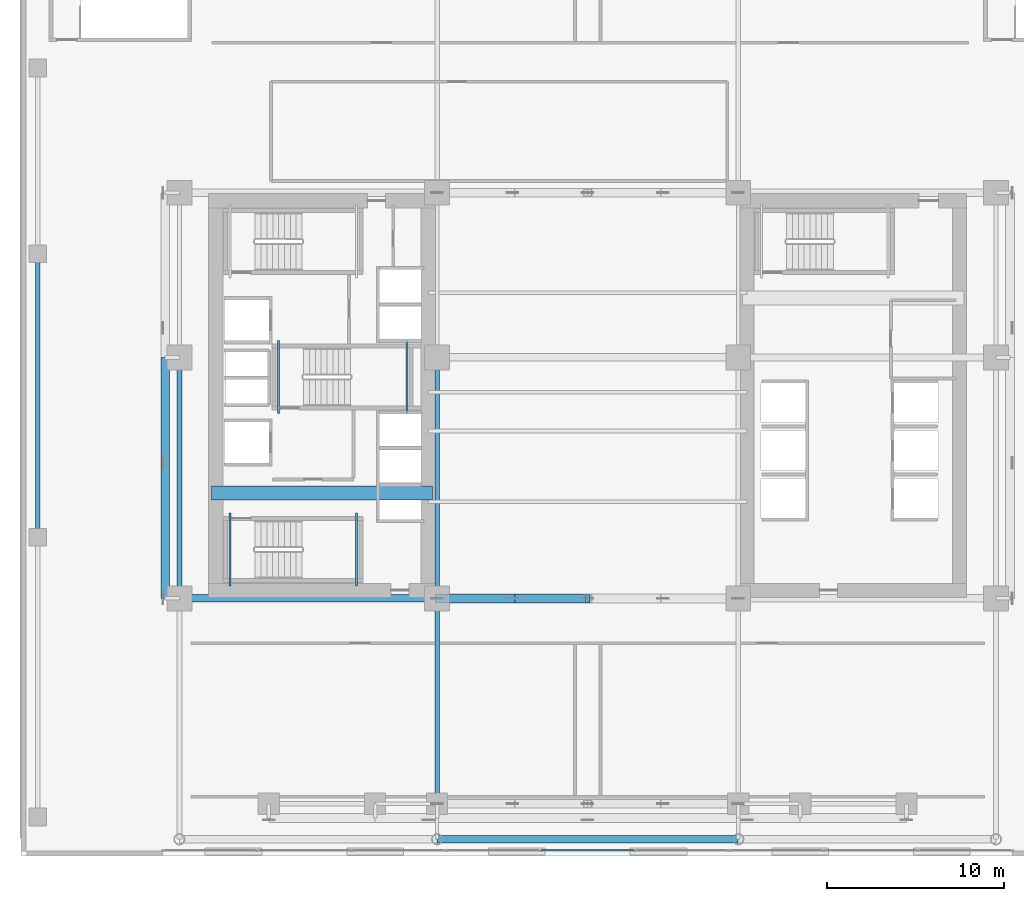
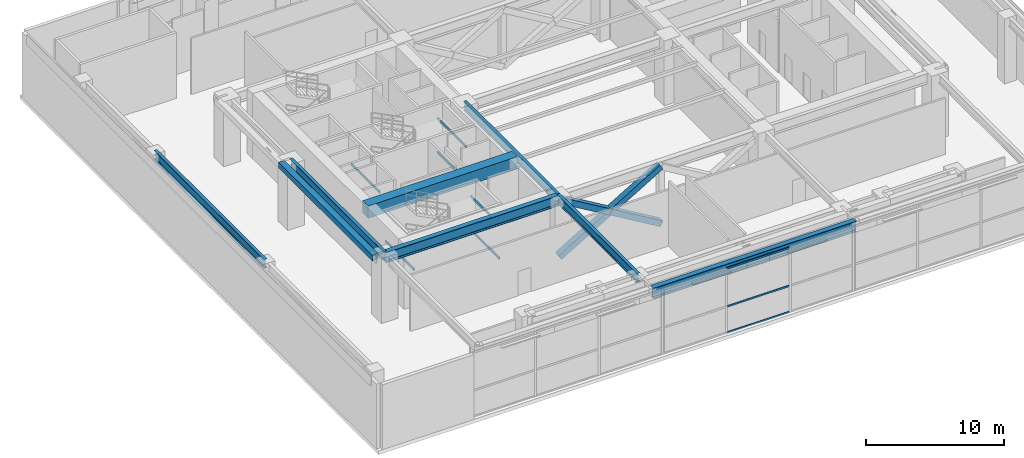
# One storey, part 6 of 29: 14 beams, 6 members, 1 element without a shape of its own.
"""IFC4 building model written with IfcOpenShell, lengths in metres."""

from ifc_helpers import new_model, si_unit, direction, frame, origin, origin_2d, place, context, subcontext, project, spatial, rectangle, hollow_rectangle, i_section, extrude, source, transform, mapped, material, layer, layer_set, material_profile, profile_set, type_object, element, aggregate, save


model = new_model("IFC4")

# Units and contexts
model_context = context("Model", 3, precision=1e-05, world=origin(), true_north=direction((0.0, 1.0)))
body_context = subcontext(model_context, "Body", "Model", "MODEL_VIEW")
ifc_project = project(units=[si_unit("LENGTHUNIT", "METRE"), si_unit("AREAUNIT", "SQUARE_METRE"), si_unit("VOLUMEUNIT", "CUBIC_METRE"), si_unit("PLANEANGLEUNIT", "RADIAN"), si_unit("MASSUNIT", "GRAM", prefix="KILO")], contexts=[model_context])

# Site, building, storey
site_placement = place(None, origin())
site = spatial("IfcSite", under=ifc_project, at=site_placement, CompositionType="ELEMENT")
building_placement = place(site_placement, origin())
building = spatial("IfcBuilding", under=site, at=building_placement, Name="Ocotamira Hotel", CompositionType="ELEMENT")
storey_placement = place(building_placement, frame((0.0, 0.0, 28.800048828125)))
storey = spatial("IfcBuildingStorey", under=building, at=storey_placement, Name="L06", CompositionType="ELEMENT", Elevation=28.800048828125)

# Beams
ifc_material_1 = material(Name="Concrete C60/75", Category="concrete")
ifc_material_profile_1 = material_profile(ifc_material_1, rectangle(XDim=0.800048828125, YDim=1.10009765625, at=origin_2d()), Name="RC800X1100")
ifc_profile_set_1 = profile_set([ifc_material_profile_1], Name="Concrete C60/75")
beam_type_1 = type_object("IfcBeamType", Name="BM-LINK-RC800", PredefinedType="LINTEL", material=ifc_profile_set_1)
shared_shape_1 = source(origin(), body_context, "Body", "SweptSolid", [
    extrude(rectangle(XDim=0.800048828125, YDim=1.10009765625, at=origin_2d()), origin(), (0.0, 0.0, 1.0), 12.5),
])
beam_1_placement = place(storey_placement, frame((10.75, 20.5, 5.199951171875), z_axis=(1.0, 0.0, 0.0), x_axis=(0.0, 1.0, 0.0)))
element("IfcBeam", 1, at=beam_1_placement, inside=storey, type_object=beam_type_1, Name="L06 West Core Coupling Beam", PredefinedType="LINTEL", context=body_context, shape_type="MappedRepresentation", body=[
    mapped(shared_shape_1, transform((0.0, 0.0, 0.0), scale=1.0)),
])
ifc_material_2 = material(Name="Steel ASTM A500 Grade C", Category="steel")
ifc_material_profile_2 = material_profile(ifc_material_2, hollow_rectangle(XDim=0.10009765625, YDim=0.199951171875, WallThickness=0.008056640625, at=origin_2d()), Name="HSS200X100X8")
ifc_profile_set_2 = profile_set([ifc_material_profile_2], Name="Steel ASTM A500 Grade C")
beam_type_2 = type_object("IfcBeamType", Name="BM-STLDG-HSS200", PredefinedType="BEAM", material=ifc_profile_set_2)
shared_shape_2 = source(origin(), body_context, "Body", "SweptSolid", [
    extrude(hollow_rectangle(XDim=0.10009765625, YDim=0.199951171875, WallThickness=0.008056640625, at=origin_2d()), origin(), (0.0, 0.0, 1.0), 4.1201171875),
])
for number, where, z_axis, x_axis, name in (
    (2, (18.949951171875, 15.25, 1.199951171875), (0.0, 1.0, 0.0), (-1.0, 0.0, 0.0), "L06 Stair ST-1 Landing Bearer 1"),
    (3, (11.81005859375, 15.25, 2.699951171875), (0.0, 1.0, 0.0), (-1.0, 0.0, 0.0), "L06 Stair ST-1 Landing Bearer 2"),
    (4, (18.949951171875, 15.25, 4.199951171875), (0.0, 1.0, 0.0), (-1.0, 0.0, 0.0), "L06 Stair ST-1 Landing Bearer 3"),
    (5, (21.780029296875, 24.97998046875, 1.199951171875), (0.0, 1.0, 0.0), (-1.0, 0.0, 0.0), "L06 Stair ST-3 Landing Bearer 1"),
    (6, (14.5400390625, 24.97998046875, 2.699951171875), (0.0, 1.0, 0.0), (-1.0, 0.0, 0.0), "L06 Stair ST-3 Landing Bearer 2"),
    (7, (21.780029296875, 24.97998046875, 4.199951171875), (0.0, 1.0, 0.0), (-1.0, 0.0, 0.0), "L06 Stair ST-3 Landing Bearer 3"),
):
    element("IfcBeam", number, at=place(storey_placement, frame(where, z_axis=z_axis, x_axis=x_axis)), inside=storey, type_object=beam_type_2, Name=name, PredefinedType="BEAM", context=body_context, shape_type="MappedRepresentation", body=[
        mapped(shared_shape_2, transform((0.0, 0.0, 0.0), scale=1.0)),
    ])
ifc_material_3 = material(Name="Steel ASTM A992 Grade 50", Category="steel")
ifc_material_profile_3 = material_profile(ifc_material_3, i_section(OverallWidth=0.41796875, OverallDepth=0.927001953125, WebThickness=0.019287109375, FlangeThickness=0.031982421875, FilletRadius=0.02392578125, at=origin_2d()), Name="W36X231")
ifc_profile_set_3 = profile_set([ifc_material_profile_3], Name="Steel ASTM A992 Grade 50")
beam_type_3 = type_object("IfcBeamType", Name="BM-GIRD-W36X231", PredefinedType="BEAM", material=ifc_profile_set_3)
shared_shape_3 = source(origin(), body_context, "Body", "SweptSolid", [
    extrude(i_section(OverallWidth=0.41796875, OverallDepth=0.927001953125, WebThickness=0.019287109375, FlangeThickness=0.031982421875, FilletRadius=0.02392578125, at=origin_2d()), origin(), (0.0, 0.0, 1.0), 14.550048828125),
])
beam_2_placement = place(storey_placement, frame((8.949951171875, 14.550048828125, 5.286376953125), z_axis=(1.0, 0.0, 0.0), x_axis=(0.0, 1.0, 0.0)))
element("IfcBeam", 8, at=beam_2_placement, inside=storey, type_object=beam_type_3, Name="L06 Girder Y14.55 X8.95-23.5", PredefinedType="BEAM", context=body_context, shape_type="MappedRepresentation", body=[
    mapped(shared_shape_3, transform((0.0, 0.0, 0.0), scale=1.0)),
])
ifc_material_profile_4 = material_profile(ifc_material_3, i_section(OverallWidth=0.26611328125, OverallDepth=0.779052734375, WebThickness=0.0166015625, FlangeThickness=0.030029296875, FilletRadius=0.01806640625, at=origin_2d()), Name="W30X148")
ifc_profile_set_4 = profile_set([ifc_material_profile_4], Name="Steel ASTM A992 Grade 50")
beam_type_4 = type_object("IfcBeamType", Name="BM-GIRD-W30X148", PredefinedType="BEAM", material=ifc_profile_set_4)
shared_shape_4 = source(origin(), body_context, "Body", "SweptSolid", [
    extrude(i_section(OverallWidth=0.26611328125, OverallDepth=0.779052734375, WebThickness=0.0166015625, FlangeThickness=0.030029296875, FilletRadius=0.01806640625, at=origin_2d()), origin(), (0.0, 0.0, 1.0), 16.0),
])
beam_3_placement = place(storey_placement, frame((0.949951171875, 18.0, 5.3603515625), z_axis=(0.0, 1.0, 0.0), x_axis=(-1.0, 0.0, 0.0)))
element("IfcBeam", 9, at=beam_3_placement, inside=storey, type_object=beam_type_4, Name="L06 Beam X0.95 Y18-34", PredefinedType="BEAM", context=body_context, shape_type="MappedRepresentation", body=[
    mapped(shared_shape_4, transform((0.0, 0.0, 0.0), scale=1.0)),
])
shared_shape_5 = source(origin(), body_context, "Body", "SweptSolid", [
    extrude(i_section(OverallWidth=0.26611328125, OverallDepth=0.779052734375, WebThickness=0.0166015625, FlangeThickness=0.030029296875, FilletRadius=0.01806640625, at=origin_2d()), origin(), (0.0, 0.0, 1.0), 13.599853515625),
])
for number, where, z_axis, x_axis, name in (
    (10, (8.949951171875, 14.550048828125, 5.3603515625), (0.0, 1.0, 0.0), (-1.0, 0.0, 0.0), "L06 Beam X8.95 Y14.55-28.15"),
    (11, (23.5, 14.550048828125, 5.3603515625), (0.0, 1.0, 0.0), (-1.0, 0.0, 0.0), "L06 Beam X23.5 Y14.55-28.15"),
):
    element("IfcBeam", number, at=place(storey_placement, frame(where, z_axis=z_axis, x_axis=x_axis)), inside=storey, type_object=beam_type_4, Name=name, PredefinedType="BEAM", context=body_context, shape_type="MappedRepresentation", body=[
        mapped(shared_shape_5, transform((0.0, 0.0, 0.0), scale=1.0)),
    ])
shared_shape_6 = source(origin(), body_context, "Body", "SweptSolid", [
    extrude(i_section(OverallWidth=0.26611328125, OverallDepth=0.779052734375, WebThickness=0.0166015625, FlangeThickness=0.030029296875, FilletRadius=0.01806640625, at=origin_2d()), origin(), (0.0, 0.0, 1.0), 11.60009765625),
])
beam_4_placement = place(storey_placement, frame((23.5, 2.949951171875, 5.3603515625), z_axis=(0.0, 1.0, 0.0), x_axis=(-1.0, 0.0, 0.0)))
element("IfcBeam", 12, at=beam_4_placement, inside=storey, type_object=beam_type_4, Name="L06 Beam X23.5 Y2.95-14.55", PredefinedType="BEAM", context=body_context, shape_type="MappedRepresentation", body=[
    mapped(shared_shape_6, transform((0.0, 0.0, 0.0), scale=1.0)),
])
ifc_material_4 = material(Name="Steel ASTM A913 Grade 65", Category="steel")
ifc_material_profile_5 = material_profile(ifc_material_4, i_section(OverallWidth=0.423095703125, OverallDepth=0.947998046875, WebThickness=0.02392578125, FlangeThickness=0.042724609375, FilletRadius=0.02392578125, at=origin_2d()), Name="W36X302")
ifc_profile_set_5 = profile_set([ifc_material_profile_5], Name="Steel ASTM A913 Grade 65")
beam_type_5 = type_object("IfcBeamType", Name="BM-TRUSS-W36X302", PredefinedType="BEAM", material=ifc_profile_set_5)
shared_shape_7 = source(origin(), body_context, "Body", "SweptSolid", [
    extrude(i_section(OverallWidth=0.423095703125, OverallDepth=0.947998046875, WebThickness=0.02392578125, FlangeThickness=0.042724609375, FilletRadius=0.02392578125, at=origin_2d()), origin(), (0.0, 0.0, 1.0), 17.0),
])
beam_5_placement = place(storey_placement, frame((23.5, 0.949951171875, 5.27587890625), z_axis=(1.0, 0.0, 0.0), x_axis=(0.0, 1.0, 0.0)))
element("IfcBeam", 13, at=beam_5_placement, inside=storey, type_object=beam_type_5, Name="L06 Girder Y0.95 X23.5-40.5", PredefinedType="BEAM", context=body_context, shape_type="MappedRepresentation", body=[
    mapped(shared_shape_7, transform((0.0, 0.0, 0.0), scale=1.0)),
])
ifc_material_profile_6 = material_profile(ifc_material_2, hollow_rectangle(XDim=0.5, YDim=0.5, WallThickness=0.02001953125, at=origin_2d()), Name="HSS500X500X20")
ifc_profile_set_6 = profile_set([ifc_material_profile_6], Name="Steel ASTM A500 Grade C")
beam_type_6 = type_object("IfcBeamType", Name="BM-SPAN-HSS500", PredefinedType="USERDEFINED", material=ifc_profile_set_6)
shared_shape_8 = source(origin(), body_context, "Body", "SweptSolid", [
    extrude(hollow_rectangle(XDim=0.5, YDim=0.5, WallThickness=0.02001953125, at=origin_2d()), origin(), (0.0, 0.0, 1.0), 13.599853515625),
])
beam_6_placement = place(storey_placement, frame((8.14990234375, 14.550048828125, 5.5), z_axis=(0.0, 1.0, 0.0), x_axis=(-1.0, 0.0, 0.0)))
element("IfcBeam", 14, at=beam_6_placement, inside=storey, type_object=beam_type_6, Name="L06 Edge Spandrel W Y14.55-28.15", ObjectType="SPANDREL", PredefinedType="USERDEFINED", context=body_context, shape_type="MappedRepresentation", body=[
    mapped(shared_shape_8, transform((0.0, 0.0, 0.0), scale=1.0)),
])

# Members
ifc_material_profile_7 = material_profile(ifc_material_4, hollow_rectangle(XDim=0.5, YDim=0.5, WallThickness=0.02001953125, at=origin_2d()), Name="HSS500X500X20")
ifc_profile_set_7 = profile_set([ifc_material_profile_7], Name="Steel ASTM A913 Grade 65")
member_type_1 = type_object("IfcMemberType", Name="MEM-OUT-HSS500", PredefinedType="BRACE", material=ifc_profile_set_7)
shared_shape_9 = source(origin(), body_context, "Body", "SweptSolid", [
    extrude(hollow_rectangle(XDim=0.5, YDim=0.5, WallThickness=0.02001953125, at=origin_2d()), origin(), (0.0, 0.0, 1.0), 9.886962890625),
])
member_1_placement = place(storey_placement, frame((23.5, 14.550048828125, 0.25), z_axis=(0.859713791233, 0.0, 0.510776073405), x_axis=(0.0, 1.0, 0.0)))
element("IfcMember", 15, at=member_1_placement, inside=storey, type_object=member_type_1, Name="L06 Portal Transfer Truss Diagonal Y14.55-1", PredefinedType="BRACE", context=body_context, shape_type="MappedRepresentation", body=[
    mapped(shared_shape_9, transform((0.0, 0.0, 0.0), scale=1.0)),
])
shared_shape_10 = source(origin(), body_context, "Body", "SweptSolid", [
    extrude(hollow_rectangle(XDim=0.5, YDim=0.5, WallThickness=0.02001953125, at=origin_2d()), origin(), (0.0, 0.0, 1.0), 4.923583984375),
])
for number, where, z_axis, x_axis, name in (
    (16, (23.5, 14.550048828125, 5.300048828125), (0.859711861236, 0.0, -0.51077932187), (0.0, 1.0, 0.0), "L06 Portal Transfer Truss Diagonal Y14.55-3 Lower Half"),
    (17, (27.76708984375, 14.550048828125, 2.7646484375), (0.859733635103, 0.0, -0.510742671678), (0.0, 1.0, 0.0), "L06 Portal Transfer Truss Diagonal Y14.55-3 Upper Half"),
):
    element("IfcMember", number, at=place(storey_placement, frame(where, z_axis=z_axis, x_axis=x_axis)), inside=storey, type_object=member_type_1, Name=name, PredefinedType="BRACE", context=body_context, shape_type="MappedRepresentation", body=[
        mapped(shared_shape_10, transform((0.0, 0.0, 0.0), scale=1.0)),
    ])

# Curtain wall, members
ifc_material_5 = material(Name="Anodised pale-metal aluminium and solar glass", Category="aluminium")
ifc_layer = layer(ifc_material_5, 0.239990234375)
ifc_layer_set = layer_set([ifc_layer], Name="Anodised pale-metal aluminium and solar glass")
curtain_wall_type = type_object("IfcCurtainWallType", Name="CW-SYS5-SKY", PredefinedType="NOTDEFINED", material=ifc_layer_set)
curtain_wall_placement = place(storey_placement, origin())
curtain_wall = element("IfcCurtainWall", 18, at=curtain_wall_placement, inside=storey, type_object=curtain_wall_type, Name="L06 Curtain Wall CW-5 CW-L06-S2", PredefinedType="NOTDEFINED")
ifc_material_6 = material(Name="Anodised pale-metal aluminium 6063-T6", Category="aluminium")
ifc_material_profile_8 = material_profile(ifc_material_6, hollow_rectangle(XDim=0.074951171875, YDim=0.14990234375, WallThickness=0.006103515625, at=origin_2d()), Name="HSS150X75X6")
ifc_profile_set_8 = profile_set([ifc_material_profile_8], Name="Anodised pale-metal aluminium 6063-T6")
member_type_2 = type_object("IfcMemberType", Name="CWT-150X75", PredefinedType="USERDEFINED", material=ifc_profile_set_8)
shared_shape_11 = source(origin(), body_context, "Body", "SweptSolid", [
    extrude(hollow_rectangle(XDim=0.074951171875, YDim=0.14990234375, WallThickness=0.006103515625, at=origin_2d()), origin(), (0.0, 0.0, 1.0), 5.25341796875),
])
member_2_placement = place(storey_placement, frame((29.373291015625, 0.320068359375, 0.037353515625), z_axis=(1.0, 0.0, 0.0), x_axis=(0.0, 1.0, 0.0)))
member_2 = element("IfcMember", 19, at=member_2_placement, type_object=member_type_2, Name="CW-5 transom 2.1", ObjectType="TRANSOM", PredefinedType="USERDEFINED", context=body_context, shape_type="MappedRepresentation", body=[
    mapped(shared_shape_11, transform((0.0, 0.0, 0.0), scale=1.0)),
])
member_3_placement = place(storey_placement, frame((29.373291015625, 0.320068359375, 2.349853515625), z_axis=(1.0, 0.0, 0.0), x_axis=(0.0, 1.0, 0.0)))
member_3 = element("IfcMember", 20, at=member_3_placement, type_object=member_type_2, Name="CW-5 transom 2.2", ObjectType="TRANSOM", PredefinedType="USERDEFINED", context=body_context, shape_type="MappedRepresentation", body=[
    mapped(shared_shape_11, transform((0.0, 0.0, 0.0), scale=1.0)),
])
member_4_placement = place(storey_placement, frame((29.373291015625, 0.320068359375, 5.71240234375), z_axis=(1.0, 0.0, 0.0), x_axis=(0.0, 1.0, 0.0)))
member_4 = element("IfcMember", 21, at=member_4_placement, type_object=member_type_2, Name="CW-5 transom 2.3", ObjectType="TRANSOM", PredefinedType="USERDEFINED", context=body_context, shape_type="MappedRepresentation", body=[
    mapped(shared_shape_11, transform((0.0, 0.0, 0.0), scale=1.0)),
])
aggregate(curtain_wall, [member_2, member_3, member_4])

save(model, "model.ifc")
